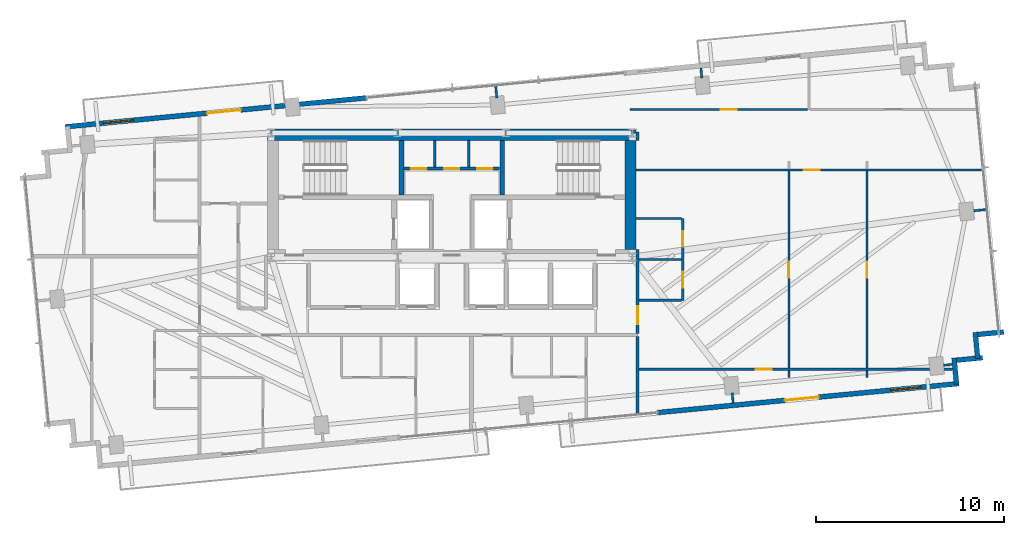
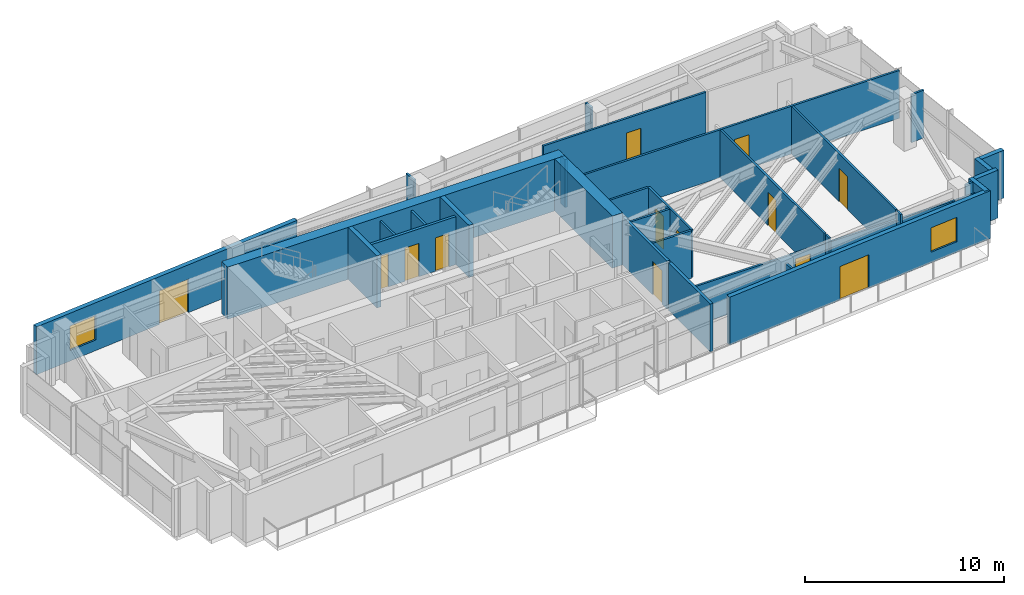
# One storey, part 15 of 18: 32 walls, 13 doors, 2 windows, 15 openings.
"""IFC4 building model written with IfcOpenShell, lengths in metres."""

from ifc_helpers import new_model, si_unit, direction, frame, frame_2d, origin, place, context, subcontext, project, spatial, rectangle, extrude, source, transform, mapped, material, layer, layer_set, type_object, type_shapes, element, fill, save


model = new_model("IFC4")

# Units and contexts
model_context = context("Model", 3, precision=1e-05, world=origin(), true_north=direction((0.0, 1.0)))
body_context = subcontext(model_context, "Body", "Model", "MODEL_VIEW")
ifc_project = project(units=[si_unit("LENGTHUNIT", "METRE"), si_unit("AREAUNIT", "SQUARE_METRE"), si_unit("VOLUMEUNIT", "CUBIC_METRE"), si_unit("PLANEANGLEUNIT", "RADIAN"), si_unit("MASSUNIT", "GRAM", prefix="KILO")], contexts=[model_context])

# Site, building, storey
site_placement = place(None, origin())
site = spatial("IfcSite", under=ifc_project, at=site_placement, CompositionType="ELEMENT")
building_placement = place(site_placement, origin())
building = spatial("IfcBuilding", under=site, at=building_placement, Name="Astriad Promenade Condominiums", CompositionType="ELEMENT")
storey_placement = place(building_placement, frame((0.0, 0.0, 179.39990234375)))
storey = spatial("IfcBuildingStorey", under=building, at=storey_placement, Name="L51", CompositionType="ELEMENT", Elevation=179.39990234375)

# Walls
ifc_material_1 = material(Name="Concrete C50/60", Category="concrete")
ifc_layer_1 = layer(ifc_material_1, 0.60009765625)
ifc_layer_set_1 = layer_set([ifc_layer_1], Name="Concrete C50/60")
wall_type_1 = type_object("IfcWallType", Name="CW-SHEAR-600", PredefinedType="SHEAR", material=ifc_layer_set_1)
wall_1_placement = place(storey_placement, frame((26.199951171875, 23.89990234375, 0.0), z_axis=(0.0, 0.0, 1.0), x_axis=(1.0, 0.0, 0.0)))
element("IfcWall", 1, at=wall_1_placement, inside=storey, type_object=wall_type_1, Name="CW-CORE-N-L51", PredefinedType="SHEAR", context=body_context, shape_type="SweptSolid", body=[
    extrude(rectangle(XDim=19.60009765625, YDim=0.60009765625, at=frame_2d((9.800048828125, 0.0))), origin(), (0.0, 0.0, 1.0), 3.2001953125),
])
wall_2_placement = place(storey_placement, frame((45.5, 17.802001953125, 0.0), z_axis=(0.0, 0.0, 1.0), x_axis=(0.0, 1.0, 0.0)))
element("IfcWall", 2, at=wall_2_placement, inside=storey, type_object=wall_type_1, Name="CW-CORE-E-L51", PredefinedType="SHEAR", context=body_context, shape_type="SweptSolid", body=[
    extrude(rectangle(XDim=5.7958984375, YDim=0.60009765625, at=frame_2d((2.89794921875, 0.0))), origin(), (0.0, 0.0, 1.0), 3.2001953125),
])
ifc_layer_2 = layer(ifc_material_1, 0.25)
ifc_layer_set_2 = layer_set([ifc_layer_2], Name="Concrete C50/60")
wall_type_2 = type_object("IfcWallType", Name="WALL-CORE-INT-250", PredefinedType="SOLIDWALL", material=ifc_layer_set_2)
for number, where, z_axis, x_axis, name in (
    (3, (33.324951171875, 20.701904296875, 0.0), (0.0, 0.0, 1.0), (0.0, 1.0, 0.0), "CW-ST1-E-L51"),
    (4, (38.675048828125, 20.701904296875, 0.0), (0.0, 0.0, 1.0), (0.0, 1.0, 0.0), "CW-ST2-W-L51"),
):
    element("IfcWall", number, at=place(storey_placement, frame(where, z_axis=z_axis, x_axis=x_axis)), inside=storey, type_object=wall_type_2, Name=name, PredefinedType="SOLIDWALL", context=body_context, shape_type="SweptSolid", body=[
        extrude(rectangle(XDim=2.89599609375, YDim=0.25, at=frame_2d((1.447998046875, 0.0))), origin(), (0.0, 0.0, 1.0), 3.2001953125),
    ])

# Wall, openings, doors
ifc_material_2 = material(Name="Fire-Rated Gypsum Partition")
ifc_layer_3 = layer(ifc_material_2, 0.159912109375)
ifc_layer_set_3 = layer_set([ifc_layer_3], Name="Fire-Rated Gypsum Partition")
wall_type_3 = type_object("IfcWallType", Name="WALL-CORR-160", PredefinedType="PARTITIONING", material=ifc_layer_set_3)
wall_3_placement = place(storey_placement, frame((33.451904296875, 22.10009765625, 0.0), z_axis=(0.0, 0.0, 1.0), x_axis=(1.0, 0.0, 0.0)))
wall_3 = element("IfcWall", 5, at=wall_3_placement, inside=storey, type_object=wall_type_3, Name="CW-AUX-N-L51", PredefinedType="PARTITIONING", context=body_context, shape_type="SweptSolid", body=[
    extrude(rectangle(XDim=5.09619140625, YDim=0.159912109375, at=frame_2d((2.548095703125, 0.0))), origin(), (0.0, 0.0, 1.0), 2.940185546875),
])
opening_1_placement = place(wall_3_placement, frame((0.387939453125, 0.0, 0.0)))
opening_1 = element("IfcOpeningElement", 6, at=opening_1_placement, cuts=wall_3, Name="Opening FD60-SV-080", PredefinedType="OPENING", context=body_context, shape_type="SweptSolid", body=[
    extrude(rectangle(XDim=0.800048828125, YDim=2.050048828125, at=frame_2d((0.39990234375, 1.02490234375))), frame((0.0, 0.08984375, 0.0), z_axis=(0.0, -1.0, 0.0), x_axis=(1.0, 0.0, 0.0)), (0.0, 0.0, 1.0), 0.179931640625),
])
opening_2_placement = place(wall_3_placement, frame((2.14794921875, 0.0, 0.0)))
opening_2 = element("IfcOpeningElement", 7, at=opening_2_placement, cuts=wall_3, Name="Opening FD60-SV-080", PredefinedType="OPENING", context=body_context, shape_type="SweptSolid", body=[
    extrude(rectangle(XDim=0.800048828125, YDim=2.050048828125, at=frame_2d((0.39990234375, 1.02490234375))), frame((0.0, 0.08984375, 0.0), z_axis=(0.0, -1.0, 0.0), x_axis=(1.0, 0.0, 0.0)), (0.0, 0.0, 1.0), 0.179931640625),
])
opening_3_placement = place(wall_3_placement, frame((3.907958984375, 0.0, 0.0)))
opening_3 = element("IfcOpeningElement", 8, at=opening_3_placement, cuts=wall_3, Name="Opening FD60-SV-080", PredefinedType="OPENING", context=body_context, shape_type="SweptSolid", body=[
    extrude(rectangle(XDim=0.800048828125, YDim=2.050048828125, at=frame_2d((0.39990234375, 1.02490234375))), frame((0.0, 0.08984375, 0.0), z_axis=(0.0, -1.0, 0.0), x_axis=(1.0, 0.0, 0.0)), (0.0, 0.0, 1.0), 0.179931640625),
])
ifc_material_3 = material(Name="Fire-Rated Riser Closet Door")
door_type_1 = type_object("IfcDoorType", Name="FD60-SV-080", OperationType="NOTDEFINED", PredefinedType="DOOR", material=ifc_material_3)
shared_shape_1 = source(origin(), body_context, "Body", "SweptSolid", [
    extrude(rectangle(XDim=0.800048828125, YDim=2.050048828125, at=frame_2d((0.39990234375, 1.02490234375))), frame((0.0, 0.02490234375, 0.0), z_axis=(0.0, -1.0, 0.0), x_axis=(1.0, 0.0, 0.0)), (0.0, 0.0, 1.0), 0.050048828125),
])
type_shapes(door_type_1, [shared_shape_1])
door_1_placement = place(opening_1_placement, origin())
door_1 = element("IfcDoor", 9, at=door_1_placement, inside=storey, type_object=door_type_1, Name="D-AUX1-L51", OperationType="SINGLE_SWING_LEFT", OverallHeight=2.050048828125, OverallWidth=0.800048828125, PredefinedType="DOOR", context=body_context, shape_type="MappedRepresentation", body=[
    mapped(shared_shape_1, transform((0.0, 0.0, 0.0), scale=1.0)),
])
fill(opening_1, door_1)
door_2_placement = place(opening_2_placement, origin())
door_2 = element("IfcDoor", 10, at=door_2_placement, inside=storey, type_object=door_type_1, Name="D-AUX2-L51", OperationType="SINGLE_SWING_RIGHT", OverallHeight=2.050048828125, OverallWidth=0.800048828125, PredefinedType="DOOR", context=body_context, shape_type="MappedRepresentation", body=[
    mapped(shared_shape_1, transform((0.0, 0.0, 0.0), scale=1.0)),
])
fill(opening_2, door_2)
door_3_placement = place(opening_3_placement, origin())
door_3 = element("IfcDoor", 11, at=door_3_placement, inside=storey, type_object=door_type_1, Name="D-AUX3-L51", OperationType="SINGLE_SWING_LEFT", OverallHeight=2.050048828125, OverallWidth=0.800048828125, PredefinedType="DOOR", context=body_context, shape_type="MappedRepresentation", body=[
    mapped(shared_shape_1, transform((0.0, 0.0, 0.0), scale=1.0)),
])
fill(opening_3, door_3)

# Wall
wall_4_placement = place(storey_placement, frame((45.8798828125, 8.98095703125, 0.0), z_axis=(0.0, 0.0, 1.0), x_axis=(0.0, 1.0, 0.0)))
element("IfcWall", 12, at=wall_4_placement, inside=storey, type_object=wall_type_3, Name="PT-COR-E-L51", PredefinedType="PARTITIONING", context=body_context, shape_type="SweptSolid", body=[
    extrude(rectangle(XDim=4.18701171875, YDim=0.159912109375, at=frame_2d((2.093505859375, 0.0))), origin(), (0.0, 0.0, 1.0), 2.940185546875),
])

# Wall, opening, door
wall_5_placement = place(storey_placement, frame((45.8798828125, 13.33203125, 0.0), z_axis=(0.0, 0.0, 1.0), x_axis=(0.0, 1.0, 0.0)))
wall_5 = element("IfcWall", 13, at=wall_5_placement, inside=storey, type_object=wall_type_3, Name="PT-COR-E-L51-S2", PredefinedType="PARTITIONING", context=body_context, shape_type="SweptSolid", body=[
    extrude(rectangle(XDim=4.469970703125, YDim=0.159912109375, at=frame_2d((2.23486328125, 0.0))), origin(), (0.0, 0.0, 1.0), 2.940185546875),
])
opening_4_placement = place(wall_5_placement, frame((0.492919921875, 0.0, 0.0)))
opening_4 = element("IfcOpeningElement", 14, at=opening_4_placement, cuts=wall_5, Name="Opening FD60-APT-095", PredefinedType="OPENING", context=body_context, shape_type="SweptSolid", body=[
    extrude(rectangle(XDim=0.949951171875, YDim=2.06005859375, at=frame_2d((0.47509765625, 1.030029296875))), frame((0.0, 0.08984375, 0.0), z_axis=(0.0, -1.0, 0.0), x_axis=(1.0, 0.0, 0.0)), (0.0, 0.0, 1.0), 0.179931640625),
])
ifc_material_4 = material(Name="Solid-Core Acoustic Timber Residence Entry Door", Category="wood")
door_type_2 = type_object("IfcDoorType", Name="FD60-APT-095", OperationType="NOTDEFINED", PredefinedType="DOOR", material=ifc_material_4)
shared_shape_2 = source(origin(), body_context, "Body", "SweptSolid", [
    extrude(rectangle(XDim=0.949951171875, YDim=2.06005859375, at=frame_2d((0.47509765625, 1.030029296875))), frame((0.0, 0.02490234375, 0.0), z_axis=(0.0, -1.0, 0.0), x_axis=(1.0, 0.0, 0.0)), (0.0, 0.0, 1.0), 0.050048828125),
])
type_shapes(door_type_2, [shared_shape_2])
door_4_placement = place(opening_4_placement, origin())
door_4 = element("IfcDoor", 15, at=door_4_placement, inside=storey, type_object=door_type_2, Name="D-ENT-L51-E1", OperationType="SINGLE_SWING_RIGHT", OverallHeight=2.06005859375, OverallWidth=0.949951171875, PredefinedType="DOOR", context=body_context, shape_type="MappedRepresentation", body=[
    mapped(shared_shape_2, transform((0.0, 0.0, 0.0), scale=1.0)),
])
fill(opening_4, door_4)

# Wall
wall_6_placement = place(storey_placement, frame((45.8798828125, 23.597900390625, 0.0), z_axis=(0.0, 0.0, 1.0), x_axis=(0.0, 1.0, 0.0)))
element("IfcWall", 16, at=wall_6_placement, inside=storey, type_object=wall_type_3, Name="PT-COR-E-L51-S3", PredefinedType="PARTITIONING", context=body_context, shape_type="SweptSolid", body=[
    extrude(rectangle(XDim=0.4521484375, YDim=0.159912109375, at=frame_2d((0.22607421875, 0.0))), origin(), (0.0, 0.0, 1.0), 2.940185546875),
])

# Wall, openings, door, window
ifc_material_5 = material(Name="Precast concrete C50/60", Category="concrete")
ifc_layer_4 = layer(ifc_material_5, 0.260009765625)
ifc_layer_set_4 = layer_set([ifc_layer_4], Name="Precast concrete C50/60")
wall_type_4 = type_object("IfcWallType", Name="WALL-EXT-TWR-260", PredefinedType="STANDARD", material=ifc_layer_set_4)
wall_7_placement = place(storey_placement, frame((15.4365234375, 24.32373046875, 0.0), z_axis=(0.0, 0.0, 1.0), x_axis=(0.995395627913, 0.095851676732, 0.0)))
wall_7 = element("IfcWall", 17, at=wall_7_placement, inside=storey, type_object=wall_type_4, Name="W-EXT-L51-N1", PredefinedType="STANDARD", context=body_context, shape_type="SweptSolid", body=[
    extrude(rectangle(XDim=16.10009765625, YDim=0.260009765625, at=frame_2d((8.050048828125, 0.0))), origin(), (0.0, 0.0, 1.0), 2.940185546875),
])
opening_5_placement = place(wall_7_placement, frame((7.589111328125, 0.0, 0.0)))
opening_5 = element("IfcOpeningElement", 18, at=opening_5_placement, cuts=wall_7, Name="Opening BD-1822-SLD", PredefinedType="OPENING", context=body_context, shape_type="SweptSolid", body=[
    extrude(rectangle(XDim=1.800048828125, YDim=2.06005859375, at=frame_2d((0.89990234375, 1.030029296875))), frame((0.0, 0.139892578125, 0.0), z_axis=(0.0, -1.0, 0.0), x_axis=(1.0, 0.0, 0.0)), (0.0, 0.0, 1.0), 0.280029296875),
])
opening_6_placement = place(wall_7_placement, frame((2.050048828125, 0.0, 0.64990234375)))
opening_6 = element("IfcOpeningElement", 19, at=opening_6_placement, cuts=wall_7, Name="Opening WIN-TWR-1620", PredefinedType="OPENING", context=body_context, shape_type="SweptSolid", body=[
    extrude(rectangle(XDim=1.60009765625, YDim=1.5, at=frame_2d((0.800048828125, 0.75))), frame((0.0, 0.139892578125, 0.0), z_axis=(0.0, -1.0, 0.0), x_axis=(1.0, 0.0, 0.0)), (0.0, 0.0, 1.0), 0.280029296875),
])
ifc_material_6 = material(Name="Thermally Broken Aluminium Sliding Balcony Door", Category="aluminium")
door_type_3 = type_object("IfcDoorType", Name="BD-1822-SLD", OperationType="NOTDEFINED", PredefinedType="DOOR", material=ifc_material_6)
shared_shape_3 = source(origin(), body_context, "Body", "SweptSolid", [
    extrude(rectangle(XDim=1.800048828125, YDim=2.06005859375, at=frame_2d((0.89990234375, 1.030029296875))), frame((0.0, 0.02490234375, 0.0), z_axis=(0.0, -1.0, 0.0), x_axis=(1.0, 0.0, 0.0)), (0.0, 0.0, 1.0), 0.050048828125),
])
type_shapes(door_type_3, [shared_shape_3])
door_5_placement = place(opening_5_placement, origin())
door_5 = element("IfcDoor", 20, at=door_5_placement, inside=storey, type_object=door_type_3, Name="BD-L51-NW", OperationType="SLIDING_TO_LEFT", OverallHeight=2.06005859375, OverallWidth=1.800048828125, PredefinedType="DOOR", context=body_context, shape_type="MappedRepresentation", body=[
    mapped(shared_shape_3, transform((0.0, 0.0, 0.0), scale=1.0)),
])
fill(opening_5, door_5)
ifc_material_7 = material(Name="Dark Tinted Triple-Glazed Aluminium Window", Category="aluminium")
window_type = type_object("IfcWindowType", Name="WIN-TWR-1620", PartitioningType="SINGLE_PANEL", PredefinedType="WINDOW", material=ifc_material_7)
shared_shape_4 = source(origin(), body_context, "Body", "SweptSolid", [
    extrude(rectangle(XDim=1.60009765625, YDim=1.5, at=frame_2d((0.800048828125, 0.75))), frame((0.0, 0.030029296875, 0.0), z_axis=(0.0, -1.0, 0.0), x_axis=(1.0, 0.0, 0.0)), (0.0, 0.0, 1.0), 0.06005859375),
])
type_shapes(window_type, [shared_shape_4])
window_1_placement = place(opening_6_placement, origin())
window_1 = element("IfcWindow", 21, at=window_1_placement, inside=storey, type_object=window_type, Name="WIN-L51-NW", OverallHeight=1.5, OverallWidth=1.60009765625, PartitioningType="SINGLE_PANEL", PredefinedType="WINDOW", context=body_context, shape_type="MappedRepresentation", body=[
    mapped(shared_shape_4, transform((0.0, 0.0, 0.0), scale=1.0)),
])
fill(opening_6, window_1)

# Walls
wall_8_placement = place(storey_placement, frame((65.341796875, 13.416748046875, 0.0), z_axis=(0.0, 0.0, 1.0), x_axis=(-0.99540774648, -0.095725744959, 0.0)))
element("IfcWall", 22, at=wall_8_placement, inside=storey, type_object=wall_type_4, Name="W-SER-L51-14", PredefinedType="STANDARD", context=body_context, shape_type="SweptSolid", body=[
    extrude(rectangle(XDim=1.39501953125, YDim=0.260009765625, at=frame_2d((0.697509765625, 0.0))), origin(), (0.0, 0.0, 1.0), 2.940185546875),
])
wall_9_placement = place(storey_placement, frame((63.826171875, 13.4013671875, 0.0), z_axis=(0.0, 0.0, 1.0), x_axis=(0.095915846097, -0.995389446633, 0.0)))
element("IfcWall", 23, at=wall_9_placement, inside=storey, type_object=wall_type_4, Name="W-SER-L51-15", PredefinedType="STANDARD", context=body_context, shape_type="SweptSolid", body=[
    extrude(rectangle(XDim=1.394775390625, YDim=0.260009765625, at=frame_2d((0.697265625, 0.0))), origin(), (0.0, 0.0, 1.0), 2.940185546875),
])
for number, where, z_axis, x_axis, name in (
    (24, (64.21728515625, 12.052734375, 0.0), (0.0, 0.0, 1.0), (-0.99540774648, -0.095725744959, 0.0), "W-SER-L51-16"),
    (25, (62.701904296875, 12.037353515625, 0.0), (0.0, 0.0, 1.0), (0.095725744959, -0.99540774648, 0.0), "W-SER-L51-17"),
):
    element("IfcWall", number, at=place(storey_placement, frame(where, z_axis=z_axis, x_axis=x_axis)), inside=storey, type_object=wall_type_4, Name=name, PredefinedType="STANDARD", context=body_context, shape_type="SweptSolid", body=[
        extrude(rectangle(XDim=1.39501953125, YDim=0.260009765625, at=frame_2d((0.697509765625, 0.0))), origin(), (0.0, 0.0, 1.0), 2.940185546875),
    ])

# Wall, openings, door, window
wall_10_placement = place(storey_placement, frame((62.96337890625, 10.67626953125, 0.0), z_axis=(0.0, 0.0, 1.0), x_axis=(-0.995395627913, -0.095851676732, 0.0)))
wall_10 = element("IfcWall", 26, at=wall_10_placement, inside=storey, type_object=wall_type_4, Name="W-EXT-L51-S1", PredefinedType="STANDARD", context=body_context, shape_type="SweptSolid", body=[
    extrude(rectangle(XDim=16.10009765625, YDim=0.260009765625, at=frame_2d((8.050048828125, 0.0))), origin(), (0.0, 0.0, 1.0), 2.940185546875),
])
opening_7_placement = place(wall_10_placement, frame((7.498046875, 0.0, 0.0)))
opening_7 = element("IfcOpeningElement", 27, at=opening_7_placement, cuts=wall_10, Name="Opening BD-1822-SLD", PredefinedType="OPENING", context=body_context, shape_type="SweptSolid", body=[
    extrude(rectangle(XDim=1.800048828125, YDim=2.06005859375, at=frame_2d((0.89990234375, 1.030029296875))), frame((0.0, 0.139892578125, 0.0), z_axis=(0.0, -1.0, 0.0), x_axis=(1.0, 0.0, 0.0)), (0.0, 0.0, 1.0), 0.280029296875),
])
opening_8_placement = place(wall_10_placement, frame((2.050048828125, 0.0, 0.64990234375)))
opening_8 = element("IfcOpeningElement", 28, at=opening_8_placement, cuts=wall_10, Name="Opening WIN-TWR-1620", PredefinedType="OPENING", context=body_context, shape_type="SweptSolid", body=[
    extrude(rectangle(XDim=1.60009765625, YDim=1.5, at=frame_2d((0.800048828125, 0.75))), frame((0.0, 0.139892578125, 0.0), z_axis=(0.0, -1.0, 0.0), x_axis=(1.0, 0.0, 0.0)), (0.0, 0.0, 1.0), 0.280029296875),
])
door_6_placement = place(opening_7_placement, origin())
door_6 = element("IfcDoor", 29, at=door_6_placement, inside=storey, type_object=door_type_3, Name="BD-L51-SE", OperationType="SLIDING_TO_RIGHT", OverallHeight=2.06005859375, OverallWidth=1.800048828125, PredefinedType="DOOR", context=body_context, shape_type="MappedRepresentation", body=[
    mapped(shared_shape_3, transform((0.0, 0.0, 0.0), scale=1.0)),
])
fill(opening_7, door_6)
window_2_placement = place(opening_8_placement, origin())
window_2 = element("IfcWindow", 30, at=window_2_placement, inside=storey, type_object=window_type, Name="WIN-L51-SE", OverallHeight=1.5, OverallWidth=1.60009765625, PartitioningType="SINGLE_PANEL", PredefinedType="WINDOW", context=body_context, shape_type="MappedRepresentation", body=[
    mapped(shared_shape_4, transform((0.0, 0.0, 0.0), scale=1.0)),
])
fill(opening_8, window_2)

# Walls
ifc_material_8 = material(Name="Acoustic Metal-Stud Gypsum Partition")
ifc_layer_5 = layer(ifc_material_8, 0.1201171875)
ifc_layer_set_5 = layer_set([ifc_layer_5], Name="Acoustic Metal-Stud Gypsum Partition")
wall_type_5 = type_object("IfcWallType", Name="WALL-PART-120", PredefinedType="PARTITIONING", material=ifc_layer_set_5)
for number, where, z_axis, x_axis, name in (
    (31, (35.10009765625, 22.181884765625, 0.0), (0.0, 0.0, 1.0), (0.0, 1.0, 0.0), "CW-AUX-V1-L51"),
    (32, (36.89990234375, 22.181884765625, 0.0), (0.0, 0.0, 1.0), (0.0, 1.0, 0.0), "CW-AUX-V2-L51"),
):
    element("IfcWall", number, at=place(storey_placement, frame(where, z_axis=z_axis, x_axis=x_axis)), inside=storey, type_object=wall_type_5, Name=name, PredefinedType="PARTITIONING", context=body_context, shape_type="SweptSolid", body=[
        extrude(rectangle(XDim=1.416015625, YDim=0.1201171875, at=frame_2d((0.7080078125, 0.0))), origin(), (0.0, 0.0, 1.0), 2.940185546875),
    ])

# Wall, openings, doors
wall_11_placement = place(storey_placement, frame((48.280029296875, 15.10009765625, 0.0), z_axis=(0.0, 0.0, 1.0), x_axis=(0.0, 1.0, 0.0)))
wall_11 = element("IfcWall", 33, at=wall_11_placement, inside=storey, type_object=wall_type_5, Name="PT-L51-E1-PV", PredefinedType="PARTITIONING", context=body_context, shape_type="SweptSolid", body=[
    extrude(rectangle(XDim=4.349853515625, YDim=0.1201171875, at=frame_2d((2.1748046875, 0.0))), origin(), (0.0, 0.0, 1.0), 2.940185546875),
])
opening_9_placement = place(wall_11_placement, frame((0.6630859375, 0.0, 0.0)))
opening_9 = element("IfcOpeningElement", 34, at=opening_9_placement, cuts=wall_11, Name="Opening D-INT-085", PredefinedType="OPENING", context=body_context, shape_type="SweptSolid", body=[
    extrude(rectangle(XDim=0.85009765625, YDim=2.050048828125, at=frame_2d((0.425048828125, 1.02490234375))), frame((0.0, 0.070068359375, 0.0), z_axis=(0.0, -1.0, 0.0), x_axis=(1.0, 0.0, 0.0)), (0.0, 0.0, 1.0), 0.14013671875),
])
opening_10_placement = place(wall_11_placement, frame((2.862060546875, 0.0, 0.0)))
opening_10 = element("IfcOpeningElement", 35, at=opening_10_placement, cuts=wall_11, Name="Opening D-WET-080", PredefinedType="OPENING", context=body_context, shape_type="SweptSolid", body=[
    extrude(rectangle(XDim=0.800048828125, YDim=2.02001953125, at=frame_2d((0.39990234375, 1.010009765625))), frame((0.0, 0.070068359375, 0.0), z_axis=(0.0, -1.0, 0.0), x_axis=(1.0, 0.0, 0.0)), (0.0, 0.0, 1.0), 0.14013671875),
])
ifc_material_9 = material(Name="Moisture-Resistant Timber Bathroom Door", Category="wood")
door_type_4 = type_object("IfcDoorType", Name="D-WET-080", OperationType="NOTDEFINED", PredefinedType="DOOR", material=ifc_material_9)
shared_shape_5 = source(origin(), body_context, "Body", "SweptSolid", [
    extrude(rectangle(XDim=0.800048828125, YDim=2.02001953125, at=frame_2d((0.39990234375, 1.010009765625))), frame((0.0, 0.02490234375, 0.0), z_axis=(0.0, -1.0, 0.0), x_axis=(1.0, 0.0, 0.0)), (0.0, 0.0, 1.0), 0.050048828125),
])
type_shapes(door_type_4, [shared_shape_5])
door_7_placement = place(opening_10_placement, origin())
door_7 = element("IfcDoor", 36, at=door_7_placement, inside=storey, type_object=door_type_4, Name="D-BTH-L51-E1", OperationType="SINGLE_SWING_RIGHT", OverallHeight=2.02001953125, OverallWidth=0.800048828125, PredefinedType="DOOR", context=body_context, shape_type="MappedRepresentation", body=[
    mapped(shared_shape_5, transform((0.0, 0.0, 0.0), scale=1.0)),
])
fill(opening_10, door_7)
ifc_material_10 = material(Name="Painted Solid-Core Timber Room Door", Category="wood")
door_type_5 = type_object("IfcDoorType", Name="D-INT-085", OperationType="NOTDEFINED", PredefinedType="DOOR", material=ifc_material_10)
shared_shape_6 = source(origin(), body_context, "Body", "SweptSolid", [
    extrude(rectangle(XDim=0.85009765625, YDim=2.050048828125, at=frame_2d((0.425048828125, 1.02490234375))), frame((0.0, 0.02490234375, 0.0), z_axis=(0.0, -1.0, 0.0), x_axis=(1.0, 0.0, 0.0)), (0.0, 0.0, 1.0), 0.050048828125),
])
type_shapes(door_type_5, [shared_shape_6])
door_8_placement = place(opening_9_placement, origin())
door_8 = element("IfcDoor", 37, at=door_8_placement, inside=storey, type_object=door_type_5, Name="D-KIT-L51-E1", OperationType="SINGLE_SWING_LEFT", OverallHeight=2.050048828125, OverallWidth=0.85009765625, PredefinedType="DOOR", context=body_context, shape_type="MappedRepresentation", body=[
    mapped(shared_shape_6, transform((0.0, 0.0, 0.0), scale=1.0)),
])
fill(opening_9, door_8)

# Walls
for number, where, z_axis, x_axis, name in (
    (38, (45.9619140625, 17.27490234375, 0.0), (0.0, 0.0, 1.0), (1.0, 0.0, 0.0), "PT-L51-E1-PM"),
    (39, (45.9619140625, 15.10009765625, 0.0), (0.0, 0.0, 1.0), (1.0, 0.0, 0.0), "PT-L51-E1-PS"),
):
    element("IfcWall", number, at=place(storey_placement, frame(where, z_axis=z_axis, x_axis=x_axis)), inside=storey, type_object=wall_type_5, Name=name, PredefinedType="PARTITIONING", context=body_context, shape_type="SweptSolid", body=[
        extrude(rectangle(XDim=2.256103515625, YDim=0.1201171875, at=frame_2d((1.1279296875, 0.0))), origin(), (0.0, 0.0, 1.0), 2.940185546875),
    ])
wall_12_placement = place(storey_placement, frame((45.802001953125, 19.449951171875, 0.0), z_axis=(0.0, 0.0, 1.0), x_axis=(1.0, 0.0, 0.0)))
element("IfcWall", 40, at=wall_12_placement, inside=storey, type_object=wall_type_5, Name="PT-L51-E1-PN", PredefinedType="PARTITIONING", context=body_context, shape_type="SweptSolid", body=[
    extrude(rectangle(XDim=2.416015625, YDim=0.1201171875, at=frame_2d((1.2080078125, 0.0))), origin(), (0.0, 0.0, 1.0), 2.940185546875),
])

# Wall, opening, door
wall_13_placement = place(storey_placement, frame((45.4599609375, 25.2470703125, 0.0), z_axis=(0.0, 0.0, 1.0), x_axis=(1.0, 0.0, 0.0)))
wall_13 = element("IfcWall", 41, at=wall_13_placement, inside=storey, type_object=wall_type_5, Name="PT-L51-E1-B1", PredefinedType="PARTITIONING", context=body_context, shape_type="SweptSolid", body=[
    extrude(rectangle(XDim=9.4609375, YDim=0.1201171875, at=frame_2d((4.73046875, 0.0))), origin(), (0.0, 0.0, 1.0), 2.940185546875),
])
opening_11_placement = place(wall_13_placement, frame((4.825927734375, 0.0, 0.0)))
opening_11 = element("IfcOpeningElement", 42, at=opening_11_placement, cuts=wall_13, Name="Opening D-INT-085", PredefinedType="OPENING", context=body_context, shape_type="SweptSolid", body=[
    extrude(rectangle(XDim=0.85009765625, YDim=2.050048828125, at=frame_2d((0.425048828125, 1.02490234375))), frame((0.0, 0.070068359375, 0.0), z_axis=(0.0, -1.0, 0.0), x_axis=(1.0, 0.0, 0.0)), (0.0, 0.0, 1.0), 0.14013671875),
])
door_9_placement = place(opening_11_placement, origin())
door_9 = element("IfcDoor", 43, at=door_9_placement, inside=storey, type_object=door_type_5, Name="D-BD1-L51-E1", OperationType="SINGLE_SWING_LEFT", OverallHeight=2.050048828125, OverallWidth=0.85009765625, PredefinedType="DOOR", context=body_context, shape_type="MappedRepresentation", body=[
    mapped(shared_shape_6, transform((0.0, 0.0, 0.0), scale=1.0)),
])
fill(opening_11, door_9)

wall_14_placement = place(storey_placement, frame((45.802001953125, 22.031982421875, 0.0), z_axis=(0.0, 0.0, 1.0), x_axis=(1.0, 0.0, 0.0)))
wall_14 = element("IfcWall", 44, at=wall_14_placement, inside=storey, type_object=wall_type_5, Name="PT-L51-E1-WDN1", PredefinedType="PARTITIONING", context=body_context, shape_type="SweptSolid", body=[
    extrude(rectangle(XDim=18.499267578125, YDim=0.1201171875, at=frame_2d((9.24951171875, 0.0))), origin(), (0.0, 0.0, 1.0), 2.940185546875),
])
opening_12_placement = place(wall_14_placement, frame((8.910888671875, 0.0, 0.0)))
opening_12 = element("IfcOpeningElement", 45, at=opening_12_placement, cuts=wall_14, Name="Opening D-INT-085", PredefinedType="OPENING", context=body_context, shape_type="SweptSolid", body=[
    extrude(rectangle(XDim=0.85009765625, YDim=2.050048828125, at=frame_2d((0.425048828125, 1.02490234375))), frame((0.0, 0.070068359375, 0.0), z_axis=(0.0, -1.0, 0.0), x_axis=(1.0, 0.0, 0.0)), (0.0, 0.0, 1.0), 0.14013671875),
])
door_10_placement = place(opening_12_placement, origin())
door_10 = element("IfcDoor", 46, at=door_10_placement, inside=storey, type_object=door_type_5, Name="D-WDN1-L51-E1", OperationType="SINGLE_SWING_LEFT", OverallHeight=2.050048828125, OverallWidth=0.85009765625, PredefinedType="DOOR", context=body_context, shape_type="MappedRepresentation", body=[
    mapped(shared_shape_6, transform((0.0, 0.0, 0.0), scale=1.0)),
])
fill(opening_12, door_10)

wall_15_placement = place(storey_placement, frame((45.9619140625, 11.43310546875, 0.0), z_axis=(0.0, 0.0, 1.0), x_axis=(1.0, 0.0, 0.0)))
wall_15 = element("IfcWall", 47, at=wall_15_placement, inside=storey, type_object=wall_type_5, Name="PT-L51-E1-WDS2", PredefinedType="PARTITIONING", context=body_context, shape_type="SweptSolid", body=[
    extrude(rectangle(XDim=16.66552734375, YDim=0.1201171875, at=frame_2d((8.332763671875, 0.0))), origin(), (0.0, 0.0, 1.0), 2.382568359375),
])
opening_13_placement = place(wall_15_placement, frame((6.18603515625, 0.0, 0.0)))
opening_13 = element("IfcOpeningElement", 48, at=opening_13_placement, cuts=wall_15, Name="Opening D-INT-085", PredefinedType="OPENING", context=body_context, shape_type="SweptSolid", body=[
    extrude(rectangle(XDim=0.85009765625, YDim=2.050048828125, at=frame_2d((0.425048828125, 1.02490234375))), frame((0.0, 0.070068359375, 0.0), z_axis=(0.0, -1.0, 0.0), x_axis=(1.0, 0.0, 0.0)), (0.0, 0.0, 1.0), 0.14013671875),
])
door_11_placement = place(opening_13_placement, origin())
door_11 = element("IfcDoor", 49, at=door_11_placement, inside=storey, type_object=door_type_5, Name="D-WDS2-L51-E1", OperationType="SINGLE_SWING_RIGHT", OverallHeight=2.050048828125, OverallWidth=0.85009765625, PredefinedType="DOOR", context=body_context, shape_type="MappedRepresentation", body=[
    mapped(shared_shape_6, transform((0.0, 0.0, 0.0), scale=1.0)),
])
fill(opening_13, door_11)

# Wall
wall_16_placement = place(storey_placement, frame((58.070068359375, 10.992919921875, 0.0), z_axis=(0.0, 0.0, 1.0), x_axis=(0.0, 1.0, 0.0)))
element("IfcWall", 50, at=wall_16_placement, inside=storey, type_object=wall_type_5, Name="PT-L51-E1-WDV3", PredefinedType="PARTITIONING", context=body_context, shape_type="SweptSolid", body=[
    extrude(rectangle(XDim=0.378173828125, YDim=0.1201171875, at=frame_2d((0.18896484375, 0.0))), origin(), (0.0, 0.0, 1.0), 2.940185546875),
])

# Wall, opening, door
wall_17_placement = place(storey_placement, frame((58.070068359375, 11.4951171875, 0.0), z_axis=(0.0, 0.0, 1.0), x_axis=(0.0, 1.0, 0.0)))
wall_17 = element("IfcWall", 51, at=wall_17_placement, inside=storey, type_object=wall_type_5, Name="PT-L51-E1-WDV3-S2", PredefinedType="PARTITIONING", context=body_context, shape_type="SweptSolid", body=[
    extrude(rectangle(XDim=10.474853515625, YDim=0.1201171875, at=frame_2d((5.2373046875, 0.0))), origin(), (0.0, 0.0, 1.0), 2.940185546875),
])
opening_14_placement = place(wall_17_placement, frame((4.81201171875, 0.0, 0.0)))
opening_14 = element("IfcOpeningElement", 52, at=opening_14_placement, cuts=wall_17, Name="Opening D-INT-085", PredefinedType="OPENING", context=body_context, shape_type="SweptSolid", body=[
    extrude(rectangle(XDim=0.85009765625, YDim=2.050048828125, at=frame_2d((0.425048828125, 1.02490234375))), frame((0.0, 0.070068359375, 0.0), z_axis=(0.0, -1.0, 0.0), x_axis=(1.0, 0.0, 0.0)), (0.0, 0.0, 1.0), 0.14013671875),
])
door_12_placement = place(opening_14_placement, origin())
door_12 = element("IfcDoor", 53, at=door_12_placement, inside=storey, type_object=door_type_5, Name="D-WDV3-L51-E1", OperationType="SINGLE_SWING_LEFT", OverallHeight=2.050048828125, OverallWidth=0.85009765625, PredefinedType="DOOR", context=body_context, shape_type="MappedRepresentation", body=[
    mapped(shared_shape_6, transform((0.0, 0.0, 0.0), scale=1.0)),
])
fill(opening_14, door_12)

# Wall
wall_18_placement = place(storey_placement, frame((53.923095703125, 10.992919921875, 0.0), z_axis=(0.0, 0.0, 1.0), x_axis=(0.0, 1.0, 0.0)))
element("IfcWall", 54, at=wall_18_placement, inside=storey, type_object=wall_type_5, Name="PT-L51-E1-WDV4", PredefinedType="PARTITIONING", context=body_context, shape_type="SweptSolid", body=[
    extrude(rectangle(XDim=0.378173828125, YDim=0.1201171875, at=frame_2d((0.18896484375, 0.0))), origin(), (0.0, 0.0, 1.0), 2.940185546875),
])

# Wall, opening, door
wall_19_placement = place(storey_placement, frame((53.923095703125, 11.4951171875, 0.0), z_axis=(0.0, 0.0, 1.0), x_axis=(0.0, 1.0, 0.0)))
wall_19 = element("IfcWall", 55, at=wall_19_placement, inside=storey, type_object=wall_type_5, Name="PT-L51-E1-WDV4-S2", PredefinedType="PARTITIONING", context=body_context, shape_type="SweptSolid", body=[
    extrude(rectangle(XDim=10.474853515625, YDim=0.1201171875, at=frame_2d((5.2373046875, 0.0))), origin(), (0.0, 0.0, 1.0), 2.940185546875),
])
opening_15_placement = place(wall_19_placement, frame((4.81201171875, 0.0, 0.0)))
opening_15 = element("IfcOpeningElement", 56, at=opening_15_placement, cuts=wall_19, Name="Opening D-INT-085", PredefinedType="OPENING", context=body_context, shape_type="SweptSolid", body=[
    extrude(rectangle(XDim=0.85009765625, YDim=2.050048828125, at=frame_2d((0.425048828125, 1.02490234375))), frame((0.0, 0.070068359375, 0.0), z_axis=(0.0, -1.0, 0.0), x_axis=(1.0, 0.0, 0.0)), (0.0, 0.0, 1.0), 0.14013671875),
])
door_13_placement = place(opening_15_placement, origin())
door_13 = element("IfcDoor", 57, at=door_13_placement, inside=storey, type_object=door_type_5, Name="D-WDV4-L51-E1", OperationType="SINGLE_SWING_RIGHT", OverallHeight=2.050048828125, OverallWidth=0.85009765625, PredefinedType="DOOR", context=body_context, shape_type="MappedRepresentation", body=[
    mapped(shared_shape_6, transform((0.0, 0.0, 0.0), scale=1.0)),
])
fill(opening_15, door_13)

# Walls
wall_20_placement = place(storey_placement, frame((50.90478515625, 10.18798828125, 0.0), z_axis=(0.0, 0.0, 1.0), x_axis=(0.095772948675, -0.995403205893, 0.0)))
element("IfcWall", 58, at=wall_20_placement, inside=storey, type_object=wall_type_5, Name="PT-PIL-L51-PC04-11", PredefinedType="PARTITIONING", context=body_context, shape_type="SweptSolid", body=[
    extrude(rectangle(XDim=0.537841796875, YDim=0.1201171875, at=frame_2d((0.26904296875, 0.0))), origin(), (0.0, 0.0, 1.0), 2.940185546875),
])
wall_21_placement = place(storey_placement, frame((62.146240234375, 11.65234375, 0.0), z_axis=(0.0, 0.0, 1.0), x_axis=(0.995384576284, 0.09596637586, 0.0)))
element("IfcWall", 59, at=wall_21_placement, inside=storey, type_object=wall_type_5, Name="PT-PIL-L51-PC05-12", PredefinedType="PARTITIONING", context=body_context, shape_type="SweptSolid", body=[
    extrude(rectangle(XDim=0.4580078125, YDim=0.1201171875, at=frame_2d((0.22900390625, 0.0))), origin(), (0.0, 0.0, 1.0), 2.940185546875),
])
wall_22_placement = place(storey_placement, frame((38.39501953125, 25.861328125, 0.0), z_axis=(0.0, 0.0, 1.0), x_axis=(-0.095977354523, 0.995383517755, 0.0)))
element("IfcWall", 60, at=wall_22_placement, inside=storey, type_object=wall_type_5, Name="PT-PIL-L51-PC08-15", PredefinedType="PARTITIONING", context=body_context, shape_type="SweptSolid", body=[
    extrude(rectangle(XDim=0.719970703125, YDim=0.1201171875, at=frame_2d((0.35986328125, 0.0))), origin(), (0.0, 0.0, 1.0), 2.940185546875),
])
wall_23_placement = place(storey_placement, frame((49.29443359375, 26.910888671875, 0.0), z_axis=(0.0, 0.0, 1.0), x_axis=(-0.095772948675, 0.995403205893, 0.0)))
element("IfcWall", 61, at=wall_23_placement, inside=storey, type_object=wall_type_5, Name="PT-PIL-L51-PC09-16", PredefinedType="PARTITIONING", context=body_context, shape_type="SweptSolid", body=[
    extrude(rectangle(XDim=0.537841796875, YDim=0.1201171875, at=frame_2d((0.26904296875, 0.0))), origin(), (0.0, 0.0, 1.0), 2.940185546875),
])
wall_24_placement = place(storey_placement, frame((63.74658203125, 19.863525390625, 0.0), z_axis=(0.0, 0.0, 1.0), x_axis=(0.995405496295, 0.095749140702, 0.0)))
element("IfcWall", 62, at=wall_24_placement, inside=storey, type_object=wall_type_5, Name="PT-PIL-L51-PC12-19", PredefinedType="PARTITIONING", context=body_context, shape_type="SweptSolid", body=[
    extrude(rectangle(XDim=0.759765625, YDim=0.1201171875, at=frame_2d((0.3798828125, 0.0))), origin(), (0.0, 0.0, 1.0), 2.940185546875),
])

save(model, "model.ifc")
